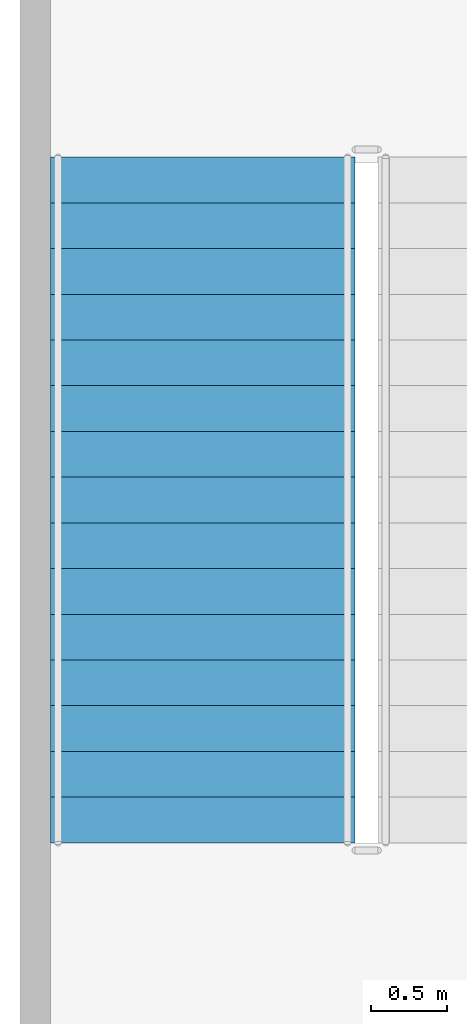
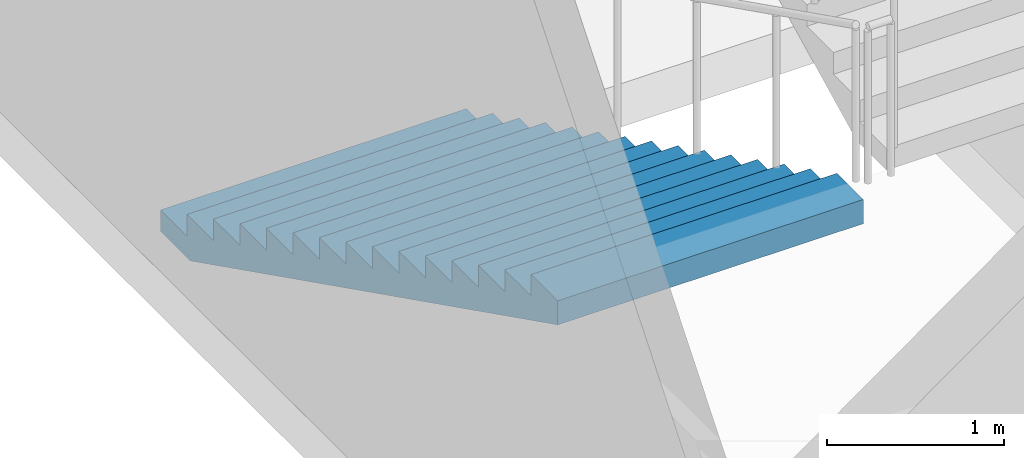
# One storey, part 47 of 91: 1 stair flight, 1 element without a shape of its own.
"""IFC4 building model written with IfcOpenShell, lengths in metres."""

from ifc_helpers import new_model, si_unit, direction, frame, origin, place, context, subcontext, project, spatial, faceted_brep, material, type_object, element, aggregate, save


model = new_model("IFC4")

# Units and contexts
model_context = context("Model", 3, precision=1e-05, world=origin(), true_north=direction((0.0, 1.0)))
body_context = subcontext(model_context, "Body", "Model", "MODEL_VIEW")
ifc_project = project(units=[si_unit("LENGTHUNIT", "METRE"), si_unit("AREAUNIT", "SQUARE_METRE"), si_unit("VOLUMEUNIT", "CUBIC_METRE"), si_unit("PLANEANGLEUNIT", "RADIAN"), si_unit("MASSUNIT", "GRAM", prefix="KILO")], contexts=[model_context])

# Site, building, storey
site_placement = place(None, origin())
site = spatial("IfcSite", under=ifc_project, at=site_placement, CompositionType="ELEMENT")
building_placement = place(site_placement, origin())
building = spatial("IfcBuilding", under=site, at=building_placement, Name="Kiln Court Media Centre", CompositionType="ELEMENT")
storey_placement = place(building_placement, frame((0.0, 0.0, 5.39990234375)))
storey = spatial("IfcBuildingStorey", under=building, at=storey_placement, Name="L01", CompositionType="ELEMENT", Elevation=5.39990234375)

# Stair, stair flight
ifc_material_1 = material(Name="Concrete C40/50", Category="concrete")
stair_type = type_object("IfcStairType", Name="Concrete C40/50 dog-leg stair 2000 wide, 150 riser", PredefinedType="HALF_TURN_STAIR", material=ifc_material_1)
stair_placement = place(storey_placement, origin())
stair = element("IfcStair", 1, at=stair_placement, inside=storey, type_object=stair_type, Name="ST-07 L01", PredefinedType="HALF_TURN_STAIR")
ifc_material_2 = material(Name="Concrete C40/50", Category="concrete")
stair_flight_type = type_object("IfcStairFlightType", Name="Concrete C40/50 stair flight 2000 wide, 150 riser, 300 going", PredefinedType="STRAIGHT", material=ifc_material_2)
stair_flight_placement = place(storey_placement, frame((1.199951171875, 64.39990234375, 0.0), z_axis=(0.0, 0.0, 1.0), x_axis=(0.0, -1.0, 0.0)))
stair_flight = element("IfcStairFlight", 2, at=stair_flight_placement, type_object=stair_flight_type, Name="L01-ST-5006 flight 5012", NumberOfRisers=16, NumberOfTreads=15, PredefinedType="STRAIGHT", RiserHeight=0.15, TreadLength=0.3, context=body_context, shape_type="Brep", body=[
    faceted_brep([(0.335205078125, -1.0, 0.0), (4.5, -1.0, 2.08251953125), (4.5, -1.0, 2.25), (4.199951171875, -1.0, 2.25), (4.199951171875, -1.0, 2.10009765625), (3.89990234375, -1.0, 2.10009765625), (3.89990234375, -1.0, 1.949951171875), (3.60009765625, -1.0, 1.949951171875), (3.60009765625, -1.0, 1.800048828125), (3.300048828125, -1.0, 1.800048828125), (3.300048828125, -1.0, 1.64990234375), (3.0, -1.0, 1.64990234375), (3.0, -1.0, 1.5), (2.699951171875, -1.0, 1.5), (2.699951171875, -1.0, 1.35009765625), (2.39990234375, -1.0, 1.35009765625), (2.39990234375, -1.0, 1.199951171875), (2.10009765625, -1.0, 1.199951171875), (2.10009765625, -1.0, 1.050048828125), (1.800048828125, -1.0, 1.050048828125), (1.800048828125, -1.0, 0.89990234375), (1.5, -1.0, 0.89990234375), (1.5, -1.0, 0.75), (1.199951171875, -1.0, 0.75), (1.199951171875, -1.0, 0.60009765625), (0.89990234375, -1.0, 0.60009765625), (0.89990234375, -1.0, 0.449951171875), (0.60009765625, -1.0, 0.449951171875), (0.60009765625, -1.0, 0.300048828125), (0.300048828125, -1.0, 0.300048828125), (0.300048828125, -1.0, 0.14990234375), (0.0, -1.0, 0.14990234375), (0.0, -1.0, 0.0), (0.0, 1.0, 0.0), (0.0, 1.0, 0.14990234375), (0.300048828125, 1.0, 0.14990234375), (0.300048828125, 1.0, 0.300048828125), (0.60009765625, 1.0, 0.300048828125), (0.60009765625, 1.0, 0.449951171875), (0.89990234375, 1.0, 0.449951171875), (0.89990234375, 1.0, 0.60009765625), (1.199951171875, 1.0, 0.60009765625), (1.199951171875, 1.0, 0.75), (1.5, 1.0, 0.75), (1.5, 1.0, 0.89990234375), (1.800048828125, 1.0, 0.89990234375), (1.800048828125, 1.0, 1.050048828125), (2.10009765625, 1.0, 1.050048828125), (2.10009765625, 1.0, 1.199951171875), (2.39990234375, 1.0, 1.199951171875), (2.39990234375, 1.0, 1.35009765625), (2.699951171875, 1.0, 1.35009765625), (2.699951171875, 1.0, 1.5), (3.0, 1.0, 1.5), (3.0, 1.0, 1.64990234375), (3.300048828125, 1.0, 1.64990234375), (3.300048828125, 1.0, 1.800048828125), (3.60009765625, 1.0, 1.800048828125), (3.60009765625, 1.0, 1.949951171875), (3.89990234375, 1.0, 1.949951171875), (3.89990234375, 1.0, 2.10009765625), (4.199951171875, 1.0, 2.10009765625), (4.199951171875, 1.0, 2.25), (4.5, 1.0, 2.25), (4.5, 1.0, 2.08251953125), (0.335205078125, 1.0, 0.0), (4.5, 0.10009765625, 2.08251953125), (0.335205078125, 0.10009765625, 0.0), (4.5, 0.080078125, 2.08251953125), (0.335205078125, 0.080078125, 0.0), (4.5, 0.06005859375, 2.08251953125), (0.335205078125, 0.06005859375, 0.0), (4.5, 0.0400390625, 2.08251953125), (0.335205078125, 0.0400390625, 0.0), (4.5, 0.02001953125, 2.08251953125), (0.335205078125, 0.02001953125, 0.0), (4.5, 0.0, 2.08251953125), (0.335205078125, 0.0, 0.0), (4.5, -0.02001953125, 2.08251953125), (0.335205078125, -0.02001953125, 0.0), (4.5, -0.0400390625, 2.08251953125), (0.335205078125, -0.0400390625, 0.0), (4.5, -0.06005859375, 2.08251953125), (0.335205078125, -0.06005859375, 0.0), (4.5, -0.080078125, 2.08251953125), (0.335205078125, -0.080078125, 0.0), (4.5, -0.10009765625, 2.08251953125), (0.335205078125, -0.10009765625, 0.0), (4.5, 0.10009765625, 2.25), (4.5, 0.080078125, 2.25), (4.5, 0.06005859375, 2.25), (4.5, 0.0400390625, 2.25), (4.5, 0.02001953125, 2.25), (4.5, 0.0, 2.25), (4.5, -0.02001953125, 2.25), (4.5, -0.0400390625, 2.25), (4.5, -0.06005859375, 2.25), (4.5, -0.080078125, 2.25), (4.5, -0.10009765625, 2.25), (4.199951171875, 0.10009765625, 2.25), (4.199951171875, 0.080078125, 2.25), (4.199951171875, 0.06005859375, 2.25), (4.199951171875, 0.0400390625, 2.25), (4.199951171875, 0.02001953125, 2.25), (4.199951171875, 0.0, 2.25), (4.199951171875, -0.02001953125, 2.25), (4.199951171875, -0.0400390625, 2.25), (4.199951171875, -0.06005859375, 2.25), (4.199951171875, -0.080078125, 2.25), (4.199951171875, -0.10009765625, 2.25), (4.199951171875, 0.10009765625, 2.10009765625), (4.199951171875, 0.080078125, 2.10009765625), (4.199951171875, 0.06005859375, 2.10009765625), (4.199951171875, 0.0400390625, 2.10009765625), (4.199951171875, 0.02001953125, 2.10009765625), (4.199951171875, 0.0, 2.10009765625), (4.199951171875, -0.02001953125, 2.10009765625), (4.199951171875, -0.0400390625, 2.10009765625), (4.199951171875, -0.06005859375, 2.10009765625), (4.199951171875, -0.080078125, 2.10009765625), (4.199951171875, -0.10009765625, 2.10009765625), (3.89990234375, 0.10009765625, 2.10009765625), (3.89990234375, 0.080078125, 2.10009765625), (3.89990234375, 0.06005859375, 2.10009765625), (3.89990234375, 0.0400390625, 2.10009765625), (3.89990234375, 0.02001953125, 2.10009765625), (3.89990234375, 0.0, 2.10009765625), (3.89990234375, -0.02001953125, 2.10009765625), (3.89990234375, -0.0400390625, 2.10009765625), (3.89990234375, -0.06005859375, 2.10009765625), (3.89990234375, -0.080078125, 2.10009765625), (3.89990234375, -0.10009765625, 2.10009765625), (3.89990234375, 0.10009765625, 1.949951171875), (3.89990234375, 0.080078125, 1.949951171875), (3.89990234375, 0.06005859375, 1.949951171875), (3.89990234375, 0.0400390625, 1.949951171875), (3.89990234375, 0.02001953125, 1.949951171875), (3.89990234375, 0.0, 1.949951171875), (3.89990234375, -0.02001953125, 1.949951171875), (3.89990234375, -0.0400390625, 1.949951171875), (3.89990234375, -0.06005859375, 1.949951171875), (3.89990234375, -0.080078125, 1.949951171875), (3.89990234375, -0.10009765625, 1.949951171875), (3.60009765625, 0.10009765625, 1.949951171875), (3.60009765625, 0.080078125, 1.949951171875), (3.60009765625, 0.06005859375, 1.949951171875), (3.60009765625, 0.0400390625, 1.949951171875), (3.60009765625, 0.02001953125, 1.949951171875), (3.60009765625, 0.0, 1.949951171875), (3.60009765625, -0.02001953125, 1.949951171875), (3.60009765625, -0.0400390625, 1.949951171875), (3.60009765625, -0.06005859375, 1.949951171875), (3.60009765625, -0.080078125, 1.949951171875), (3.60009765625, -0.10009765625, 1.949951171875), (3.60009765625, 0.10009765625, 1.800048828125), (3.60009765625, 0.080078125, 1.800048828125), (3.60009765625, 0.06005859375, 1.800048828125), (3.60009765625, 0.0400390625, 1.800048828125), (3.60009765625, 0.02001953125, 1.800048828125), (3.60009765625, 0.0, 1.800048828125), (3.60009765625, -0.02001953125, 1.800048828125), (3.60009765625, -0.0400390625, 1.800048828125), (3.60009765625, -0.06005859375, 1.800048828125), (3.60009765625, -0.080078125, 1.800048828125), (3.60009765625, -0.10009765625, 1.800048828125), (3.300048828125, 0.10009765625, 1.800048828125), (3.300048828125, 0.080078125, 1.800048828125), (3.300048828125, 0.06005859375, 1.800048828125), (3.300048828125, 0.0400390625, 1.800048828125), (3.300048828125, 0.02001953125, 1.800048828125), (3.300048828125, 0.0, 1.800048828125), (3.300048828125, -0.02001953125, 1.800048828125), (3.300048828125, -0.0400390625, 1.800048828125), (3.300048828125, -0.06005859375, 1.800048828125), (3.300048828125, -0.080078125, 1.800048828125), (3.300048828125, -0.10009765625, 1.800048828125), (3.300048828125, 0.10009765625, 1.64990234375), (3.300048828125, 0.080078125, 1.64990234375), (3.300048828125, 0.06005859375, 1.64990234375), (3.300048828125, 0.0400390625, 1.64990234375), (3.300048828125, 0.02001953125, 1.64990234375), (3.300048828125, 0.0, 1.64990234375), (3.300048828125, -0.02001953125, 1.64990234375), (3.300048828125, -0.0400390625, 1.64990234375), (3.300048828125, -0.06005859375, 1.64990234375), (3.300048828125, -0.080078125, 1.64990234375), (3.300048828125, -0.10009765625, 1.64990234375), (3.0, 0.10009765625, 1.64990234375), (3.0, 0.080078125, 1.64990234375), (3.0, 0.06005859375, 1.64990234375), (3.0, 0.0400390625, 1.64990234375), (3.0, 0.02001953125, 1.64990234375), (3.0, 0.0, 1.64990234375), (3.0, -0.02001953125, 1.64990234375), (3.0, -0.0400390625, 1.64990234375), (3.0, -0.06005859375, 1.64990234375), (3.0, -0.080078125, 1.64990234375), (3.0, -0.10009765625, 1.64990234375), (3.0, 0.10009765625, 1.5), (3.0, 0.080078125, 1.5), (3.0, 0.06005859375, 1.5), (3.0, 0.0400390625, 1.5), (3.0, 0.02001953125, 1.5), (3.0, 0.0, 1.5), (3.0, -0.02001953125, 1.5), (3.0, -0.0400390625, 1.5), (3.0, -0.06005859375, 1.5), (3.0, -0.080078125, 1.5), (3.0, -0.10009765625, 1.5), (2.699951171875, 0.10009765625, 1.5), (2.699951171875, 0.080078125, 1.5), (2.699951171875, 0.06005859375, 1.5), (2.699951171875, 0.0400390625, 1.5), (2.699951171875, 0.02001953125, 1.5), (2.699951171875, 0.0, 1.5), (2.699951171875, -0.02001953125, 1.5), (2.699951171875, -0.0400390625, 1.5), (2.699951171875, -0.06005859375, 1.5), (2.699951171875, -0.080078125, 1.5), (2.699951171875, -0.10009765625, 1.5), (2.699951171875, 0.10009765625, 1.35009765625), (2.699951171875, 0.080078125, 1.35009765625), (2.699951171875, 0.06005859375, 1.35009765625), (2.699951171875, 0.0400390625, 1.35009765625), (2.699951171875, 0.02001953125, 1.35009765625), (2.699951171875, 0.0, 1.35009765625), (2.699951171875, -0.02001953125, 1.35009765625), (2.699951171875, -0.0400390625, 1.35009765625), (2.699951171875, -0.06005859375, 1.35009765625), (2.699951171875, -0.080078125, 1.35009765625), (2.699951171875, -0.10009765625, 1.35009765625), (2.39990234375, 0.10009765625, 1.35009765625), (2.39990234375, 0.080078125, 1.35009765625), (2.39990234375, 0.06005859375, 1.35009765625), (2.39990234375, 0.0400390625, 1.35009765625), (2.39990234375, 0.02001953125, 1.35009765625), (2.39990234375, 0.0, 1.35009765625), (2.39990234375, -0.02001953125, 1.35009765625), (2.39990234375, -0.0400390625, 1.35009765625), (2.39990234375, -0.06005859375, 1.35009765625), (2.39990234375, -0.080078125, 1.35009765625), (2.39990234375, -0.10009765625, 1.35009765625), (2.39990234375, 0.10009765625, 1.199951171875), (2.39990234375, 0.080078125, 1.199951171875), (2.39990234375, 0.06005859375, 1.199951171875), (2.39990234375, 0.0400390625, 1.199951171875), (2.39990234375, 0.02001953125, 1.199951171875), (2.39990234375, 0.0, 1.199951171875), (2.39990234375, -0.02001953125, 1.199951171875), (2.39990234375, -0.0400390625, 1.199951171875), (2.39990234375, -0.06005859375, 1.199951171875), (2.39990234375, -0.080078125, 1.199951171875), (2.39990234375, -0.10009765625, 1.199951171875), (2.10009765625, 0.10009765625, 1.199951171875), (2.10009765625, 0.080078125, 1.199951171875), (2.10009765625, 0.06005859375, 1.199951171875), (2.10009765625, 0.0400390625, 1.199951171875), (2.10009765625, 0.02001953125, 1.199951171875), (2.10009765625, 0.0, 1.199951171875), (2.10009765625, -0.02001953125, 1.199951171875), (2.10009765625, -0.0400390625, 1.199951171875), (2.10009765625, -0.06005859375, 1.199951171875), (2.10009765625, -0.080078125, 1.199951171875), (2.10009765625, -0.10009765625, 1.199951171875), (2.10009765625, 0.10009765625, 1.050048828125), (2.10009765625, 0.080078125, 1.050048828125), (2.10009765625, 0.06005859375, 1.050048828125), (2.10009765625, 0.0400390625, 1.050048828125), (2.10009765625, 0.02001953125, 1.050048828125), (2.10009765625, 0.0, 1.050048828125), (2.10009765625, -0.02001953125, 1.050048828125), (2.10009765625, -0.0400390625, 1.050048828125), (2.10009765625, -0.06005859375, 1.050048828125), (2.10009765625, -0.080078125, 1.050048828125), (2.10009765625, -0.10009765625, 1.050048828125), (1.800048828125, 0.10009765625, 1.050048828125), (1.800048828125, 0.080078125, 1.050048828125), (1.800048828125, 0.06005859375, 1.050048828125), (1.800048828125, 0.0400390625, 1.050048828125), (1.800048828125, 0.02001953125, 1.050048828125), (1.800048828125, 0.0, 1.050048828125), (1.800048828125, -0.02001953125, 1.050048828125), (1.800048828125, -0.0400390625, 1.050048828125), (1.800048828125, -0.06005859375, 1.050048828125), (1.800048828125, -0.080078125, 1.050048828125), (1.800048828125, -0.10009765625, 1.050048828125), (1.800048828125, 0.10009765625, 0.89990234375), (1.800048828125, 0.080078125, 0.89990234375), (1.800048828125, 0.06005859375, 0.89990234375), (1.800048828125, 0.0400390625, 0.89990234375), (1.800048828125, 0.02001953125, 0.89990234375), (1.800048828125, 0.0, 0.89990234375), (1.800048828125, -0.02001953125, 0.89990234375), (1.800048828125, -0.0400390625, 0.89990234375), (1.800048828125, -0.06005859375, 0.89990234375), (1.800048828125, -0.080078125, 0.89990234375), (1.800048828125, -0.10009765625, 0.89990234375), (1.5, 0.10009765625, 0.89990234375), (1.5, 0.080078125, 0.89990234375), (1.5, 0.06005859375, 0.89990234375), (1.5, 0.0400390625, 0.89990234375), (1.5, 0.02001953125, 0.89990234375), (1.5, 0.0, 0.89990234375), (1.5, -0.02001953125, 0.89990234375), (1.5, -0.0400390625, 0.89990234375), (1.5, -0.06005859375, 0.89990234375), (1.5, -0.080078125, 0.89990234375), (1.5, -0.10009765625, 0.89990234375), (1.5, 0.10009765625, 0.75), (1.5, 0.080078125, 0.75), (1.5, 0.06005859375, 0.75), (1.5, 0.0400390625, 0.75), (1.5, 0.02001953125, 0.75), (1.5, 0.0, 0.75), (1.5, -0.02001953125, 0.75), (1.5, -0.0400390625, 0.75), (1.5, -0.06005859375, 0.75), (1.5, -0.080078125, 0.75), (1.5, -0.10009765625, 0.75), (1.199951171875, 0.10009765625, 0.75), (1.199951171875, 0.080078125, 0.75), (1.199951171875, 0.06005859375, 0.75), (1.199951171875, 0.0400390625, 0.75), (1.199951171875, 0.02001953125, 0.75), (1.199951171875, 0.0, 0.75), (1.199951171875, -0.02001953125, 0.75), (1.199951171875, -0.0400390625, 0.75), (1.199951171875, -0.06005859375, 0.75), (1.199951171875, -0.080078125, 0.75), (1.199951171875, -0.10009765625, 0.75), (1.199951171875, 0.10009765625, 0.60009765625), (1.199951171875, 0.080078125, 0.60009765625), (1.199951171875, 0.06005859375, 0.60009765625), (1.199951171875, 0.0400390625, 0.60009765625), (1.199951171875, 0.02001953125, 0.60009765625), (1.199951171875, 0.0, 0.60009765625), (1.199951171875, -0.02001953125, 0.60009765625), (1.199951171875, -0.0400390625, 0.60009765625), (1.199951171875, -0.06005859375, 0.60009765625), (1.199951171875, -0.080078125, 0.60009765625), (1.199951171875, -0.10009765625, 0.60009765625), (0.89990234375, 0.10009765625, 0.60009765625), (0.89990234375, 0.080078125, 0.60009765625), (0.89990234375, 0.06005859375, 0.60009765625), (0.89990234375, 0.0400390625, 0.60009765625), (0.89990234375, 0.02001953125, 0.60009765625), (0.89990234375, 0.0, 0.60009765625), (0.89990234375, -0.02001953125, 0.60009765625), (0.89990234375, -0.0400390625, 0.60009765625), (0.89990234375, -0.06005859375, 0.60009765625), (0.89990234375, -0.080078125, 0.60009765625), (0.89990234375, -0.10009765625, 0.60009765625), (0.89990234375, 0.10009765625, 0.449951171875), (0.89990234375, 0.080078125, 0.449951171875), (0.89990234375, 0.06005859375, 0.449951171875), (0.89990234375, 0.0400390625, 0.449951171875), (0.89990234375, 0.02001953125, 0.449951171875), (0.89990234375, 0.0, 0.449951171875), (0.89990234375, -0.02001953125, 0.449951171875), (0.89990234375, -0.0400390625, 0.449951171875), (0.89990234375, -0.06005859375, 0.449951171875), (0.89990234375, -0.080078125, 0.449951171875), (0.89990234375, -0.10009765625, 0.449951171875), (0.60009765625, 0.10009765625, 0.449951171875), (0.60009765625, 0.080078125, 0.449951171875), (0.60009765625, 0.06005859375, 0.449951171875), (0.60009765625, 0.0400390625, 0.449951171875), (0.60009765625, 0.02001953125, 0.449951171875), (0.60009765625, 0.0, 0.449951171875), (0.60009765625, -0.02001953125, 0.449951171875), (0.60009765625, -0.0400390625, 0.449951171875), (0.60009765625, -0.06005859375, 0.449951171875), (0.60009765625, -0.080078125, 0.449951171875), (0.60009765625, -0.10009765625, 0.449951171875), (0.60009765625, 0.10009765625, 0.300048828125), (0.60009765625, 0.080078125, 0.300048828125), (0.60009765625, 0.06005859375, 0.300048828125), (0.60009765625, 0.0400390625, 0.300048828125), (0.60009765625, 0.02001953125, 0.300048828125), (0.60009765625, 0.0, 0.300048828125), (0.60009765625, -0.02001953125, 0.300048828125), (0.60009765625, -0.0400390625, 0.300048828125), (0.60009765625, -0.06005859375, 0.300048828125), (0.60009765625, -0.080078125, 0.300048828125), (0.60009765625, -0.10009765625, 0.300048828125), (0.300048828125, 0.10009765625, 0.300048828125), (0.300048828125, 0.080078125, 0.300048828125), (0.300048828125, 0.06005859375, 0.300048828125), (0.300048828125, 0.0400390625, 0.300048828125), (0.300048828125, 0.02001953125, 0.300048828125), (0.300048828125, 0.0, 0.300048828125), (0.300048828125, -0.02001953125, 0.300048828125), (0.300048828125, -0.0400390625, 0.300048828125), (0.300048828125, -0.06005859375, 0.300048828125), (0.300048828125, -0.080078125, 0.300048828125), (0.300048828125, -0.10009765625, 0.300048828125), (0.300048828125, 0.10009765625, 0.14990234375), (0.300048828125, 0.080078125, 0.14990234375), (0.300048828125, 0.06005859375, 0.14990234375), (0.300048828125, 0.0400390625, 0.14990234375), (0.300048828125, 0.02001953125, 0.14990234375), (0.300048828125, 0.0, 0.14990234375), (0.300048828125, -0.02001953125, 0.14990234375), (0.300048828125, -0.0400390625, 0.14990234375), (0.300048828125, -0.06005859375, 0.14990234375), (0.300048828125, -0.080078125, 0.14990234375), (0.300048828125, -0.10009765625, 0.14990234375), (0.0, 0.10009765625, 0.14990234375), (0.0, 0.080078125, 0.14990234375), (0.0, 0.06005859375, 0.14990234375), (0.0, 0.0400390625, 0.14990234375), (0.0, 0.02001953125, 0.14990234375), (0.0, 0.0, 0.14990234375), (0.0, -0.02001953125, 0.14990234375), (0.0, -0.0400390625, 0.14990234375), (0.0, -0.06005859375, 0.14990234375), (0.0, -0.080078125, 0.14990234375), (0.0, -0.10009765625, 0.14990234375), (0.0, 0.10009765625, 0.0), (0.0, 0.080078125, 0.0), (0.0, 0.06005859375, 0.0), (0.0, 0.0400390625, 0.0), (0.0, 0.02001953125, 0.0), (0.0, 0.0, 0.0), (0.0, -0.02001953125, 0.0), (0.0, -0.0400390625, 0.0), (0.0, -0.06005859375, 0.0), (0.0, -0.080078125, 0.0), (0.0, -0.10009765625, 0.0)], [[[0, 1, 2, 3, 4, 5, 6, 7, 8, 9, 10, 11, 12, 13, 14, 15, 16, 17, 18, 19, 20, 21, 22, 23, 24, 25, 26, 27, 28, 29, 30, 31, 32]], [[33, 34, 35, 36, 37, 38, 39, 40, 41, 42, 43, 44, 45, 46, 47, 48, 49, 50, 51, 52, 53, 54, 55, 56, 57, 58, 59, 60, 61, 62, 63, 64, 65]], [[65, 64, 66, 67]], [[67, 66, 68, 69]], [[69, 68, 70, 71]], [[71, 70, 72, 73]], [[73, 72, 74, 75]], [[75, 74, 76, 77]], [[77, 76, 78, 79]], [[79, 78, 80, 81]], [[81, 80, 82, 83]], [[83, 82, 84, 85]], [[85, 84, 86, 87]], [[87, 86, 1, 0]], [[64, 63, 88, 66]], [[66, 88, 89, 68]], [[68, 89, 90, 70]], [[70, 90, 91, 72]], [[72, 91, 92, 74]], [[74, 92, 93, 76]], [[76, 93, 94, 78]], [[78, 94, 95, 80]], [[80, 95, 96, 82]], [[82, 96, 97, 84]], [[84, 97, 98, 86]], [[86, 98, 2, 1]], [[63, 62, 99, 88]], [[88, 99, 100, 89]], [[89, 100, 101, 90]], [[90, 101, 102, 91]], [[91, 102, 103, 92]], [[92, 103, 104, 93]], [[93, 104, 105, 94]], [[94, 105, 106, 95]], [[95, 106, 107, 96]], [[96, 107, 108, 97]], [[97, 108, 109, 98]], [[98, 109, 3, 2]], [[62, 61, 110, 99]], [[99, 110, 111, 100]], [[100, 111, 112, 101]], [[101, 112, 113, 102]], [[102, 113, 114, 103]], [[103, 114, 115, 104]], [[104, 115, 116, 105]], [[105, 116, 117, 106]], [[106, 117, 118, 107]], [[107, 118, 119, 108]], [[108, 119, 120, 109]], [[109, 120, 4, 3]], [[61, 60, 121, 110]], [[110, 121, 122, 111]], [[111, 122, 123, 112]], [[112, 123, 124, 113]], [[113, 124, 125, 114]], [[114, 125, 126, 115]], [[115, 126, 127, 116]], [[116, 127, 128, 117]], [[117, 128, 129, 118]], [[118, 129, 130, 119]], [[119, 130, 131, 120]], [[120, 131, 5, 4]], [[60, 59, 132, 121]], [[121, 132, 133, 122]], [[122, 133, 134, 123]], [[123, 134, 135, 124]], [[124, 135, 136, 125]], [[125, 136, 137, 126]], [[126, 137, 138, 127]], [[127, 138, 139, 128]], [[128, 139, 140, 129]], [[129, 140, 141, 130]], [[130, 141, 142, 131]], [[131, 142, 6, 5]], [[59, 58, 143, 132]], [[132, 143, 144, 133]], [[133, 144, 145, 134]], [[134, 145, 146, 135]], [[135, 146, 147, 136]], [[136, 147, 148, 137]], [[137, 148, 149, 138]], [[138, 149, 150, 139]], [[139, 150, 151, 140]], [[140, 151, 152, 141]], [[141, 152, 153, 142]], [[142, 153, 7, 6]], [[58, 57, 154, 143]], [[143, 154, 155, 144]], [[144, 155, 156, 145]], [[145, 156, 157, 146]], [[146, 157, 158, 147]], [[147, 158, 159, 148]], [[148, 159, 160, 149]], [[149, 160, 161, 150]], [[150, 161, 162, 151]], [[151, 162, 163, 152]], [[152, 163, 164, 153]], [[153, 164, 8, 7]], [[57, 56, 165, 154]], [[154, 165, 166, 155]], [[155, 166, 167, 156]], [[156, 167, 168, 157]], [[157, 168, 169, 158]], [[158, 169, 170, 159]], [[159, 170, 171, 160]], [[160, 171, 172, 161]], [[161, 172, 173, 162]], [[162, 173, 174, 163]], [[163, 174, 175, 164]], [[164, 175, 9, 8]], [[56, 55, 176, 165]], [[165, 176, 177, 166]], [[166, 177, 178, 167]], [[167, 178, 179, 168]], [[168, 179, 180, 169]], [[169, 180, 181, 170]], [[170, 181, 182, 171]], [[171, 182, 183, 172]], [[172, 183, 184, 173]], [[173, 184, 185, 174]], [[174, 185, 186, 175]], [[175, 186, 10, 9]], [[55, 54, 187, 176]], [[176, 187, 188, 177]], [[177, 188, 189, 178]], [[178, 189, 190, 179]], [[179, 190, 191, 180]], [[180, 191, 192, 181]], [[181, 192, 193, 182]], [[182, 193, 194, 183]], [[183, 194, 195, 184]], [[184, 195, 196, 185]], [[185, 196, 197, 186]], [[186, 197, 11, 10]], [[54, 53, 198, 187]], [[187, 198, 199, 188]], [[188, 199, 200, 189]], [[189, 200, 201, 190]], [[190, 201, 202, 191]], [[191, 202, 203, 192]], [[192, 203, 204, 193]], [[193, 204, 205, 194]], [[194, 205, 206, 195]], [[195, 206, 207, 196]], [[196, 207, 208, 197]], [[197, 208, 12, 11]], [[53, 52, 209, 198]], [[198, 209, 210, 199]], [[199, 210, 211, 200]], [[200, 211, 212, 201]], [[201, 212, 213, 202]], [[202, 213, 214, 203]], [[203, 214, 215, 204]], [[204, 215, 216, 205]], [[205, 216, 217, 206]], [[206, 217, 218, 207]], [[207, 218, 219, 208]], [[208, 219, 13, 12]], [[52, 51, 220, 209]], [[209, 220, 221, 210]], [[210, 221, 222, 211]], [[211, 222, 223, 212]], [[212, 223, 224, 213]], [[213, 224, 225, 214]], [[214, 225, 226, 215]], [[215, 226, 227, 216]], [[216, 227, 228, 217]], [[217, 228, 229, 218]], [[218, 229, 230, 219]], [[219, 230, 14, 13]], [[51, 50, 231, 220]], [[220, 231, 232, 221]], [[221, 232, 233, 222]], [[222, 233, 234, 223]], [[223, 234, 235, 224]], [[224, 235, 236, 225]], [[225, 236, 237, 226]], [[226, 237, 238, 227]], [[227, 238, 239, 228]], [[228, 239, 240, 229]], [[229, 240, 241, 230]], [[230, 241, 15, 14]], [[50, 49, 242, 231]], [[231, 242, 243, 232]], [[232, 243, 244, 233]], [[233, 244, 245, 234]], [[234, 245, 246, 235]], [[235, 246, 247, 236]], [[236, 247, 248, 237]], [[237, 248, 249, 238]], [[238, 249, 250, 239]], [[239, 250, 251, 240]], [[240, 251, 252, 241]], [[241, 252, 16, 15]], [[49, 48, 253, 242]], [[242, 253, 254, 243]], [[243, 254, 255, 244]], [[244, 255, 256, 245]], [[245, 256, 257, 246]], [[246, 257, 258, 247]], [[247, 258, 259, 248]], [[248, 259, 260, 249]], [[249, 260, 261, 250]], [[250, 261, 262, 251]], [[251, 262, 263, 252]], [[252, 263, 17, 16]], [[48, 47, 264, 253]], [[253, 264, 265, 254]], [[254, 265, 266, 255]], [[255, 266, 267, 256]], [[256, 267, 268, 257]], [[257, 268, 269, 258]], [[258, 269, 270, 259]], [[259, 270, 271, 260]], [[260, 271, 272, 261]], [[261, 272, 273, 262]], [[262, 273, 274, 263]], [[263, 274, 18, 17]], [[47, 46, 275, 264]], [[264, 275, 276, 265]], [[265, 276, 277, 266]], [[266, 277, 278, 267]], [[267, 278, 279, 268]], [[268, 279, 280, 269]], [[269, 280, 281, 270]], [[270, 281, 282, 271]], [[271, 282, 283, 272]], [[272, 283, 284, 273]], [[273, 284, 285, 274]], [[274, 285, 19, 18]], [[46, 45, 286, 275]], [[275, 286, 287, 276]], [[276, 287, 288, 277]], [[277, 288, 289, 278]], [[278, 289, 290, 279]], [[279, 290, 291, 280]], [[280, 291, 292, 281]], [[281, 292, 293, 282]], [[282, 293, 294, 283]], [[283, 294, 295, 284]], [[284, 295, 296, 285]], [[285, 296, 20, 19]], [[45, 44, 297, 286]], [[286, 297, 298, 287]], [[287, 298, 299, 288]], [[288, 299, 300, 289]], [[289, 300, 301, 290]], [[290, 301, 302, 291]], [[291, 302, 303, 292]], [[292, 303, 304, 293]], [[293, 304, 305, 294]], [[294, 305, 306, 295]], [[295, 306, 307, 296]], [[296, 307, 21, 20]], [[44, 43, 308, 297]], [[297, 308, 309, 298]], [[298, 309, 310, 299]], [[299, 310, 311, 300]], [[300, 311, 312, 301]], [[301, 312, 313, 302]], [[302, 313, 314, 303]], [[303, 314, 315, 304]], [[304, 315, 316, 305]], [[305, 316, 317, 306]], [[306, 317, 318, 307]], [[307, 318, 22, 21]], [[43, 42, 319, 308]], [[308, 319, 320, 309]], [[309, 320, 321, 310]], [[310, 321, 322, 311]], [[311, 322, 323, 312]], [[312, 323, 324, 313]], [[313, 324, 325, 314]], [[314, 325, 326, 315]], [[315, 326, 327, 316]], [[316, 327, 328, 317]], [[317, 328, 329, 318]], [[318, 329, 23, 22]], [[42, 41, 330, 319]], [[319, 330, 331, 320]], [[320, 331, 332, 321]], [[321, 332, 333, 322]], [[322, 333, 334, 323]], [[323, 334, 335, 324]], [[324, 335, 336, 325]], [[325, 336, 337, 326]], [[326, 337, 338, 327]], [[327, 338, 339, 328]], [[328, 339, 340, 329]], [[329, 340, 24, 23]], [[41, 40, 341, 330]], [[330, 341, 342, 331]], [[331, 342, 343, 332]], [[332, 343, 344, 333]], [[333, 344, 345, 334]], [[334, 345, 346, 335]], [[335, 346, 347, 336]], [[336, 347, 348, 337]], [[337, 348, 349, 338]], [[338, 349, 350, 339]], [[339, 350, 351, 340]], [[340, 351, 25, 24]], [[40, 39, 352, 341]], [[341, 352, 353, 342]], [[342, 353, 354, 343]], [[343, 354, 355, 344]], [[344, 355, 356, 345]], [[345, 356, 357, 346]], [[346, 357, 358, 347]], [[347, 358, 359, 348]], [[348, 359, 360, 349]], [[349, 360, 361, 350]], [[350, 361, 362, 351]], [[351, 362, 26, 25]], [[39, 38, 363, 352]], [[352, 363, 364, 353]], [[353, 364, 365, 354]], [[354, 365, 366, 355]], [[355, 366, 367, 356]], [[356, 367, 368, 357]], [[357, 368, 369, 358]], [[358, 369, 370, 359]], [[359, 370, 371, 360]], [[360, 371, 372, 361]], [[361, 372, 373, 362]], [[362, 373, 27, 26]], [[38, 37, 374, 363]], [[363, 374, 375, 364]], [[364, 375, 376, 365]], [[365, 376, 377, 366]], [[366, 377, 378, 367]], [[367, 378, 379, 368]], [[368, 379, 380, 369]], [[369, 380, 381, 370]], [[370, 381, 382, 371]], [[371, 382, 383, 372]], [[372, 383, 384, 373]], [[373, 384, 28, 27]], [[37, 36, 385, 374]], [[374, 385, 386, 375]], [[375, 386, 387, 376]], [[376, 387, 388, 377]], [[377, 388, 389, 378]], [[378, 389, 390, 379]], [[379, 390, 391, 380]], [[380, 391, 392, 381]], [[381, 392, 393, 382]], [[382, 393, 394, 383]], [[383, 394, 395, 384]], [[384, 395, 29, 28]], [[36, 35, 396, 385]], [[385, 396, 397, 386]], [[386, 397, 398, 387]], [[387, 398, 399, 388]], [[388, 399, 400, 389]], [[389, 400, 401, 390]], [[390, 401, 402, 391]], [[391, 402, 403, 392]], [[392, 403, 404, 393]], [[393, 404, 405, 394]], [[394, 405, 406, 395]], [[395, 406, 30, 29]], [[35, 34, 407, 396]], [[396, 407, 408, 397]], [[397, 408, 409, 398]], [[398, 409, 410, 399]], [[399, 410, 411, 400]], [[400, 411, 412, 401]], [[401, 412, 413, 402]], [[402, 413, 414, 403]], [[403, 414, 415, 404]], [[404, 415, 416, 405]], [[405, 416, 417, 406]], [[406, 417, 31, 30]], [[34, 33, 418, 407]], [[407, 418, 419, 408]], [[408, 419, 420, 409]], [[409, 420, 421, 410]], [[410, 421, 422, 411]], [[411, 422, 423, 412]], [[412, 423, 424, 413]], [[413, 424, 425, 414]], [[414, 425, 426, 415]], [[415, 426, 427, 416]], [[416, 427, 428, 417]], [[417, 428, 32, 31]], [[33, 65, 67, 418]], [[418, 67, 69, 419]], [[419, 69, 71, 420]], [[420, 71, 73, 421]], [[421, 73, 75, 422]], [[422, 75, 77, 423]], [[423, 77, 79, 424]], [[424, 79, 81, 425]], [[425, 81, 83, 426]], [[426, 83, 85, 427]], [[427, 85, 87, 428]], [[428, 87, 0, 32]]]),
])
aggregate(stair, [stair_flight])

save(model, "model.ifc")
